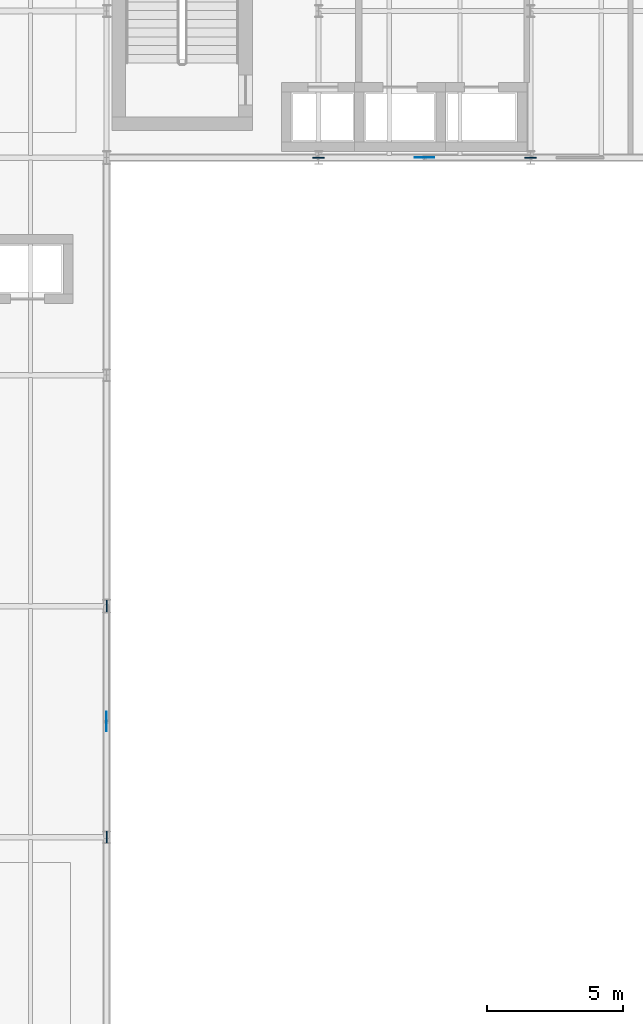
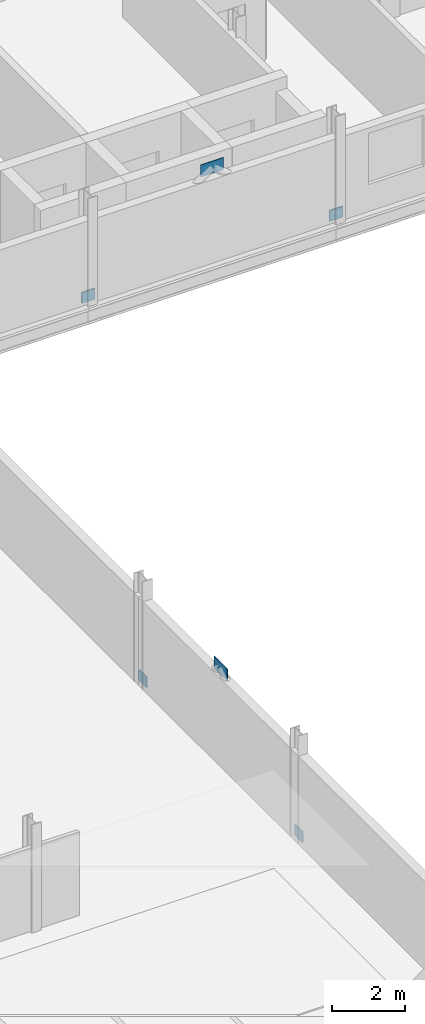
# One storey, part 18 of 36: 6 plates.
"""IFC4 building model written with IfcOpenShell, lengths in metres."""

from ifc_helpers import new_model, si_unit, direction, frame, origin, origin_2d, place, context, subcontext, project, spatial, rectangle, extrude, material, layer, layer_set, type_object, element, save


model = new_model("IFC4")

# Units and contexts
model_context = context("Model", 3, precision=1e-05, world=origin(), true_north=direction((0.0, 1.0)))
body_context = subcontext(model_context, "Body", "Model", "MODEL_VIEW")
ifc_project = project(units=[si_unit("LENGTHUNIT", "METRE"), si_unit("AREAUNIT", "SQUARE_METRE"), si_unit("VOLUMEUNIT", "CUBIC_METRE"), si_unit("PLANEANGLEUNIT", "RADIAN"), si_unit("MASSUNIT", "GRAM", prefix="KILO")], contexts=[model_context])

# Site, building, storey
site_placement = place(None, origin())
site = spatial("IfcSite", under=ifc_project, at=site_placement, CompositionType="ELEMENT")
building_placement = place(site_placement, origin())
building = spatial("IfcBuilding", under=site, at=building_placement, Name="Sefraquen Railside Congress Hotel", CompositionType="ELEMENT")
storey_placement = place(building_placement, frame((0.0, 0.0, 24.60009765625)))
storey = spatial("IfcBuildingStorey", under=building, at=storey_placement, Name="L05", CompositionType="ELEMENT", Elevation=24.60009765625)

# Plates
ifc_material = material(Name="Steel S355J2", Category="steel")
ifc_layer_1 = layer(ifc_material, 0.02001953125)
ifc_layer_set_1 = layer_set([ifc_layer_1], Name="Steel S355J2")
plate_type_1 = type_object("IfcPlateType", Name="TP-GUS-01", PredefinedType="SHEET", material=ifc_layer_set_1)
for number, where, z_axis, x_axis, name in (
    (1, (36.89990234375, 96.0, 2.889892578125), (0.0, 0.0, 1.0), (1.0, 0.0, 0.0), "Chevron braced-frame apex gusset plate BF1 L05"),
    (2, (25.199951171875, 75.25, 2.889892578125), (0.0, 0.0, 1.0), (0.0, 1.0, 0.0), "Chevron braced-frame apex gusset plate BF2 L05"),
):
    element("IfcPlate", number, at=place(storey_placement, frame(where, z_axis=z_axis, x_axis=x_axis)), inside=storey, type_object=plate_type_1, Name=name, PredefinedType="SHEET", context=body_context, shape_type="SweptSolid", body=[
        extrude(rectangle(XDim=0.719970703125, YDim=0.02001953125, at=origin_2d()), origin(), (0.0, 0.0, 1.0), 0.39990234375),
    ])
ifc_layer_2 = layer(ifc_material, 0.0400390625)
ifc_layer_set_2 = layer_set([ifc_layer_2], Name="Steel S355J2")
plate_type_2 = type_object("IfcPlateType", Name="TP-GUS-02", PredefinedType="SHEET", material=ifc_layer_set_2)
for number, where, z_axis, x_axis, name in (
    (3, (33.0, 96.0, 0.0), (0.0, 0.0, 1.0), (1.0, 0.0, 0.0), "Chevron braced-frame base gusset plate BF1-L L05"),
    (4, (40.800048828125, 96.0, 0.0), (0.0, 0.0, 1.0), (1.0, 0.0, 0.0), "Chevron braced-frame base gusset plate BF1-R L05"),
    (5, (25.199951171875, 71.0, 0.0), (0.0, 0.0, 1.0), (0.0, 1.0, 0.0), "Chevron braced-frame base gusset plate BF2-L L05"),
    (6, (25.199951171875, 79.5, 0.0), (0.0, 0.0, 1.0), (0.0, 1.0, 0.0), "Chevron braced-frame base gusset plate BF2-R L05"),
):
    element("IfcPlate", number, at=place(storey_placement, frame(where, z_axis=z_axis, x_axis=x_axis)), inside=storey, type_object=plate_type_2, Name=name, PredefinedType="SHEET", context=body_context, shape_type="SweptSolid", body=[
        extrude(rectangle(XDim=0.419921875, YDim=0.0400390625, at=origin_2d()), origin(), (0.0, 0.0, 1.0), 0.360107421875),
    ])

save(model, "model.ifc")
